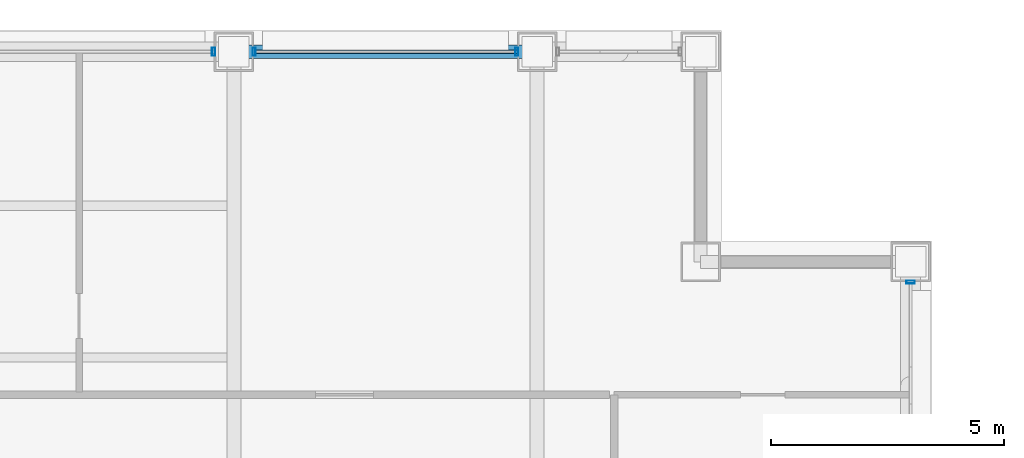
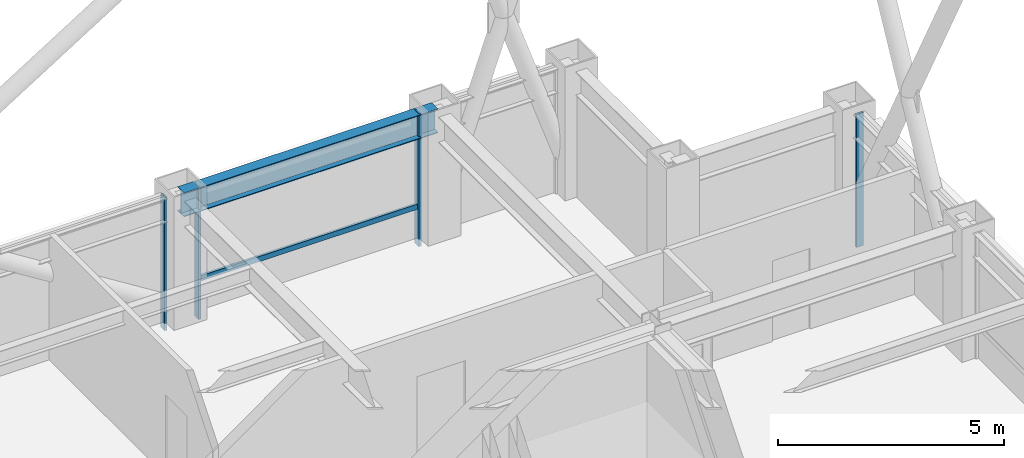
# One storey, part 25 of 34: 5 members, 1 beam, 3 elements without a shape of their own.
"""IFC4 building model written with IfcOpenShell, lengths in metres."""

from ifc_helpers import new_model, si_unit, direction, frame, origin, origin_2d, place, context, subcontext, project, spatial, hollow_rectangle, i_section, extrude, material, layer, layer_set, material_profile, profile_set, type_object, element, aggregate, save


model = new_model("IFC4")

# Units and contexts
model_context = context("Model", 3, precision=1e-05, world=origin(), true_north=direction((0.0, 1.0)))
body_context = subcontext(model_context, "Body", "Model", "MODEL_VIEW")
ifc_project = project(units=[si_unit("LENGTHUNIT", "METRE"), si_unit("AREAUNIT", "SQUARE_METRE"), si_unit("VOLUMEUNIT", "CUBIC_METRE"), si_unit("PLANEANGLEUNIT", "RADIAN"), si_unit("MASSUNIT", "GRAM", prefix="KILO")], contexts=[model_context])

# Site, building, storey
site_placement = place(None, origin())
site = spatial("IfcSite", under=ifc_project, at=site_placement, CompositionType="ELEMENT")
building_placement = place(site_placement, origin())
building = spatial("IfcBuilding", under=site, at=building_placement, Name="Brelmoor Portico Tower", CompositionType="ELEMENT")
storey_placement = place(building_placement, frame((0.0, 0.0, 99.0)))
storey = spatial("IfcBuildingStorey", under=building, at=storey_placement, Name="L25", CompositionType="ELEMENT", Elevation=99.0)

# Beam
ifc_material_1 = material(Name="Steel Q355B", Category="steel")
ifc_material_profile_1 = material_profile(ifc_material_1, i_section(OverallWidth=0.280029296875, OverallDepth=0.64990234375, WebThickness=0.012939453125, FlangeThickness=0.02197265625, at=origin_2d()), Name="HN 650x280x13x22")
ifc_profile_set_1 = profile_set([ifc_material_profile_1], Name="Steel Q355B")
beam_type = type_object("IfcBeamType", Name="BM-SP-650", PredefinedType="SPANDREL", material=ifc_profile_set_1)
beam_placement = place(storey_placement, frame((8.050048828125, 19.550048828125, 3.074951171875), z_axis=(1.0, 0.0, 0.0), x_axis=(0.0, 1.0, 0.0)))
element("IfcBeam", 1, at=beam_placement, inside=storey, type_object=beam_type, Name="L25 Perimeter Spandrel Beam SP-13", PredefinedType="SPANDREL", context=body_context, shape_type="SweptSolid", body=[
    extrude(i_section(OverallWidth=0.280029296875, OverallDepth=0.64990234375, WebThickness=0.012939453125, FlangeThickness=0.02197265625, at=origin_2d()), origin(), (0.0, 0.0, 1.0), 6.5),
])

# Curtain wall, member
ifc_material_2 = material(Name="Anodised Aluminium Alloy 6063-T6", Category="aluminium")
ifc_layer_1 = layer(ifc_material_2, 0.179931640625)
ifc_layer_set_1 = layer_set([ifc_layer_1], Name="Anodised Aluminium Alloy 6063-T6")
curtain_wall_type_1 = type_object("IfcCurtainWallType", Name="CW-TOWER-Z2-XB", PredefinedType="NOTDEFINED", material=ifc_layer_set_1)
curtain_wall_1_placement = place(storey_placement, origin())
curtain_wall_1 = element("IfcCurtainWall", 2, at=curtain_wall_1_placement, inside=storey, type_object=curtain_wall_type_1, Name="L25 Curtain Wall CW-L25-02-3", PredefinedType="NOTDEFINED")
ifc_material_profile_2 = material_profile(ifc_material_2, hollow_rectangle(XDim=0.06494140625, YDim=0.179931640625, WallThickness=0.00390625, at=origin_2d()), Name="ALU MULLION 65x180")
ifc_profile_set_2 = profile_set([ifc_material_profile_2], Name="Anodised Aluminium Alloy 6063-T6")
member_type_1 = type_object("IfcMemberType", Name="MB-CW-MULL-180", PredefinedType="MULLION", material=ifc_profile_set_2)
member_1_placement = place(storey_placement, frame((7.614990234375, 19.550048828125, -0.199951171875), z_axis=(0.0, 0.0, 1.0), x_axis=(1.0, 0.0, 0.0)))
member_1 = element("IfcMember", 3, at=member_1_placement, type_object=member_type_1, Name="CW-L25-02-3 Mullion 01", PredefinedType="MULLION", context=body_context, shape_type="SweptSolid", body=[
    extrude(hollow_rectangle(XDim=0.06494140625, YDim=0.179931640625, WallThickness=0.00390625, at=origin_2d()), origin(), (0.0, 0.0, 1.0), 3.599853515625),
])
aggregate(curtain_wall_1, [member_1])

# Curtain wall, members
ifc_layer_2 = layer(ifc_material_2, 0.179931640625)
ifc_layer_set_2 = layer_set([ifc_layer_2], Name="Anodised Aluminium Alloy 6063-T6")
curtain_wall_type_2 = type_object("IfcCurtainWallType", Name="CW-TOWER-Z2", PredefinedType="NOTDEFINED", material=ifc_layer_set_2)
curtain_wall_2_placement = place(storey_placement, origin())
curtain_wall_2 = element("IfcCurtainWall", 4, at=curtain_wall_2_placement, inside=storey, type_object=curtain_wall_type_2, Name="L25 Curtain Wall CW-L25-02-4", PredefinedType="NOTDEFINED")
member_2_placement = place(storey_placement, frame((8.485107421875, 19.550048828125, -0.199951171875), z_axis=(0.0, 0.0, 1.0), x_axis=(1.0, 0.0, 0.0)))
member_2 = element("IfcMember", 5, at=member_2_placement, type_object=member_type_1, Name="CW-L25-02-4 Mullion 00", PredefinedType="MULLION", context=body_context, shape_type="SweptSolid", body=[
    extrude(hollow_rectangle(XDim=0.06494140625, YDim=0.179931640625, WallThickness=0.00390625, at=origin_2d()), origin(), (0.0, 0.0, 1.0), 3.599853515625),
])
member_3_placement = place(storey_placement, frame((14.114990234375, 19.550048828125, -0.199951171875), z_axis=(0.0, 0.0, 1.0), x_axis=(1.0, 0.0, 0.0)))
member_3 = element("IfcMember", 6, at=member_3_placement, type_object=member_type_1, Name="CW-L25-02-4 Mullion 01", PredefinedType="MULLION", context=body_context, shape_type="SweptSolid", body=[
    extrude(hollow_rectangle(XDim=0.06494140625, YDim=0.179931640625, WallThickness=0.00390625, at=origin_2d()), origin(), (0.0, 0.0, 1.0), 3.599853515625),
])

# Curtain wall, member
curtain_wall_3_placement = place(storey_placement, origin())
curtain_wall_3 = element("IfcCurtainWall", 7, at=curtain_wall_3_placement, inside=storey, type_object=curtain_wall_type_1, Name="L25 Curtain Wall CW-L25-4R-2", PredefinedType="NOTDEFINED")
member_4_placement = place(storey_placement, frame((22.550048828125, 14.614990234375, -0.199951171875), z_axis=(0.0, 0.0, 1.0), x_axis=(0.0, 1.0, 0.0)))
member_4 = element("IfcMember", 8, at=member_4_placement, type_object=member_type_1, Name="CW-L25-4R-2 Mullion 01", PredefinedType="MULLION", context=body_context, shape_type="SweptSolid", body=[
    extrude(hollow_rectangle(XDim=0.06494140625, YDim=0.179931640625, WallThickness=0.00390625, at=origin_2d()), origin(), (0.0, 0.0, 1.0), 3.599853515625),
])
aggregate(curtain_wall_3, [member_4])

# Member
ifc_material_profile_3 = material_profile(ifc_material_2, hollow_rectangle(XDim=0.06494140625, YDim=0.139892578125, WallThickness=0.00390625, at=origin_2d()), Name="ALU TRANSOM 65x140")
ifc_profile_set_3 = profile_set([ifc_material_profile_3], Name="Anodised Aluminium Alloy 6063-T6")
member_type_2 = type_object("IfcMemberType", Name="MB-CW-TRAN-140", PredefinedType="USERDEFINED", material=ifc_profile_set_3)
member_5_placement = place(storey_placement, frame((8.485107421875, 19.550048828125, 0.85009765625), z_axis=(1.0, 0.0, 0.0), x_axis=(0.0, 1.0, 0.0)))
member_5 = element("IfcMember", 9, at=member_5_placement, type_object=member_type_2, Name="CW-L25-02-4 Transom 1-00", ObjectType="TRANSOM", PredefinedType="USERDEFINED", context=body_context, shape_type="SweptSolid", body=[
    extrude(hollow_rectangle(XDim=0.06494140625, YDim=0.139892578125, WallThickness=0.00390625, at=origin_2d()), origin(), (0.0, 0.0, 1.0), 5.6298828125),
])

aggregate(curtain_wall_2, [member_2, member_3, member_5])

save(model, "model.ifc")
